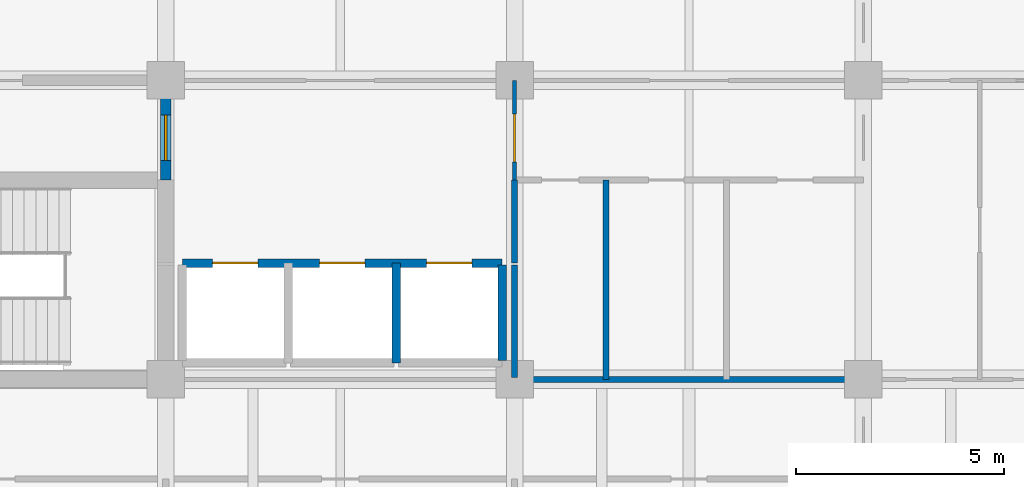
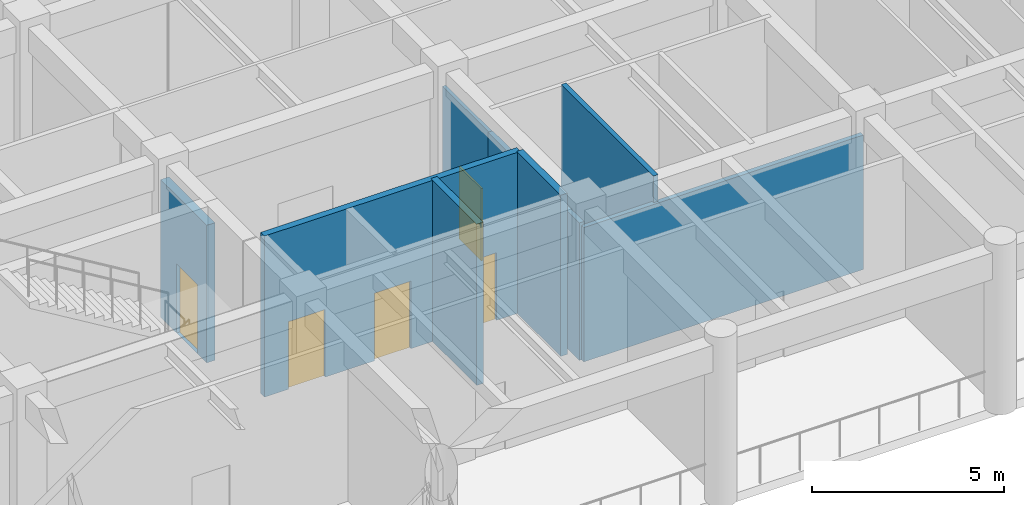
# One storey, part 46 of 68: 9 walls, 5 doors, 5 openings.
"""IFC4 building model written with IfcOpenShell, lengths in metres."""

from ifc_helpers import new_model, si_unit, direction, frame, frame_2d, origin, place, context, subcontext, project, spatial, rectangle, extrude, material, layer, layer_set, type_object, element, fill, save


model = new_model("IFC4")

# Units and contexts
model_context = context("Model", 3, precision=1e-05, world=origin(), true_north=direction((0.0, 1.0)))
body_context = subcontext(model_context, "Body", "Model", "MODEL_VIEW")
ifc_project = project(units=[si_unit("LENGTHUNIT", "METRE"), si_unit("AREAUNIT", "SQUARE_METRE"), si_unit("VOLUMEUNIT", "CUBIC_METRE"), si_unit("PLANEANGLEUNIT", "RADIAN"), si_unit("MASSUNIT", "GRAM", prefix="KILO")], contexts=[model_context])

# Site, building, storey
site_placement = place(None, origin())
site = spatial("IfcSite", under=ifc_project, at=site_placement, CompositionType="ELEMENT")
building_placement = place(site_placement, origin())
building = spatial("IfcBuilding", under=site, at=building_placement, Name="Chengyuan Square Courthouse", CompositionType="ELEMENT")
storey_placement = place(building_placement, frame((0.0, 0.0, 5.39990234375)))
storey = spatial("IfcBuildingStorey", under=building, at=storey_placement, Name="L02", CompositionType="ELEMENT", Elevation=5.39990234375)

# Wall, opening, door
ifc_material_1 = material(Name="Concrete C40", Category="concrete")
ifc_layer_1 = layer(ifc_material_1, 0.25)
ifc_layer_set_1 = layer_set([ifc_layer_1], Name="Concrete C40")
wall_type_1 = type_object("IfcWallType", Name="WL-FW1", PredefinedType="STANDARD", material=ifc_layer_set_1)
wall_1_placement = place(storey_placement, frame((67.199951171875, 91.199951171875, 0.0), z_axis=(0.0, 0.0, 1.0), x_axis=(0.0, 1.0, 0.0)))
wall_1 = element("IfcWall", 1, at=wall_1_placement, inside=storey, type_object=wall_type_1, Name="Interior Wall WL-L02-I1265", PredefinedType="STANDARD", context=body_context, shape_type="SweptSolid", body=[
    extrude(rectangle(XDim=2.400146484375, YDim=0.25, at=frame_2d((1.2001953125, 0.0))), origin(), (0.0, 0.0, 1.0), 4.3701171875),
])
opening_1_placement = place(wall_1_placement, frame((0.465087890625, 0.0, 0.0)))
opening_1 = element("IfcOpeningElement", 2, at=opening_1_placement, cuts=wall_1, Name="Opening DR-1015", PredefinedType="OPENING", context=body_context, shape_type="SweptSolid", body=[
    extrude(rectangle(XDim=1.10009765625, YDim=2.199951171875, at=frame_2d((0.550048828125, 1.10009765625))), frame((0.0, 0.136962890625, 0.0), z_axis=(0.0, -1.0, 0.0), x_axis=(1.0, 0.0, 0.0)), (0.0, 0.0, 1.0), 0.27392578125),
])
ifc_material_2 = material(Name="Steel Q235B Fire Door", Category="steel")
door_type_1 = type_object("IfcDoorType", Name="DT-10", OperationType="NOTDEFINED", PredefinedType="DOOR", material=ifc_material_2)
door_1_placement = place(opening_1_placement, origin())
door_1 = element("IfcDoor", 3, at=door_1_placement, inside=storey, type_object=door_type_1, Name="Interior Door DR-1015", OperationType="SINGLE_SWING_LEFT", OverallHeight=2.199951171875, OverallWidth=1.10009765625, PredefinedType="DOOR", context=body_context, shape_type="SweptSolid", body=[
    extrude(rectangle(XDim=1.10009765625, YDim=2.199951171875, at=frame_2d((0.550048828125, 1.10009765625))), frame((0.0, 0.02490234375, 0.0), z_axis=(0.0, -1.0, 0.0), x_axis=(1.0, 0.0, 0.0)), (0.0, 0.0, 1.0), 0.050048828125),
])
fill(opening_1, door_1)

# Walls
ifc_material_3 = material(Name="Moisture-Resistant Masonry Wet-Room Partition", Category="masonry")
ifc_layer_2 = layer(ifc_material_3, 0.139892578125)
ifc_layer_set_2 = layer_set([ifc_layer_2], Name="Moisture-Resistant Masonry Wet-Room Partition")
wall_type_2 = type_object("IfcWallType", Name="WL-PT4", PredefinedType="STANDARD", material=ifc_layer_set_2)
wall_2_placement = place(storey_placement, frame((75.60009765625, 86.39990234375, 0.0), z_axis=(0.0, 0.0, 1.0), x_axis=(1.0, 0.0, 0.0)))
element("IfcWall", 4, at=wall_2_placement, inside=storey, type_object=wall_type_2, Name="Interior Wall WL-L02-I1074", PredefinedType="STANDARD", context=body_context, shape_type="SweptSolid", body=[
    extrude(rectangle(XDim=8.39990234375, YDim=0.139892578125, at=frame_2d((4.199951171875, 0.0))), origin(), (0.0, 0.0, 1.0), 4.27001953125),
])
wall_3_placement = place(storey_placement, frame((75.60009765625, 86.449951171875, 0.0), z_axis=(0.0, 0.0, 1.0), x_axis=(0.0, 1.0, 0.0)))
element("IfcWall", 5, at=wall_3_placement, inside=storey, type_object=wall_type_2, Name="Interior Wall WL-L02-I1280", PredefinedType="STANDARD", context=body_context, shape_type="SweptSolid", body=[
    extrude(rectangle(XDim=2.699951171875, YDim=0.139892578125, at=frame_2d((1.35009765625, 0.0))), origin(), (0.0, 0.0, 1.0), 4.3701171875),
])
wall_4_placement = place(storey_placement, frame((75.60009765625, 89.199951171875, 0.0), z_axis=(0.0, 0.0, 1.0), x_axis=(0.0, 1.0, 0.0)))
element("IfcWall", 6, at=wall_4_placement, inside=storey, type_object=wall_type_2, Name="Interior Wall WL-L02-I1281", PredefinedType="STANDARD", context=body_context, shape_type="SweptSolid", body=[
    extrude(rectangle(XDim=2.0, YDim=0.139892578125, at=frame_2d((1.0, 0.0))), origin(), (0.0, 0.0, 1.0), 4.3701171875),
])
wall_5_placement = place(storey_placement, frame((77.800048828125, 86.39990234375, 0.0), z_axis=(0.0, 0.0, 1.0), x_axis=(0.0, 1.0, 0.0)))
element("IfcWall", 7, at=wall_5_placement, inside=storey, type_object=wall_type_2, Name="Interior Wall WL-L02-I1287", PredefinedType="STANDARD", context=body_context, shape_type="SweptSolid", body=[
    extrude(rectangle(XDim=4.800048828125, YDim=0.139892578125, at=frame_2d((2.39990234375, 0.0))), origin(), (0.0, 0.0, 1.0), 5.1201171875),
])

# Wall, opening, door
ifc_material_4 = material(Name="Gypsum Plasterboard Acoustic Stud Partition")
ifc_layer_3 = layer(ifc_material_4, 0.10009765625)
ifc_layer_set_3 = layer_set([ifc_layer_3], Name="Gypsum Plasterboard Acoustic Stud Partition")
wall_type_3 = type_object("IfcWallType", Name="WL-PT6", PredefinedType="STANDARD", material=ifc_layer_set_3)
wall_6_placement = place(storey_placement, frame((75.60009765625, 91.199951171875, 0.0), z_axis=(0.0, 0.0, 1.0), x_axis=(0.0, 1.0, 0.0)))
wall_6 = element("IfcWall", 8, at=wall_6_placement, inside=storey, type_object=wall_type_3, Name="Interior Wall WL-L02-I1282", PredefinedType="STANDARD", context=body_context, shape_type="SweptSolid", body=[
    extrude(rectangle(XDim=2.400146484375, YDim=0.10009765625, at=frame_2d((1.2001953125, 0.0))), origin(), (0.0, 0.0, 1.0), 4.3701171875),
])
opening_2_placement = place(wall_6_placement, frame((0.43505859375, 0.0, 0.0)))
opening_2 = element("IfcOpeningElement", 9, at=opening_2_placement, cuts=wall_6, Name="Opening DR-1060", PredefinedType="OPENING", context=body_context, shape_type="SweptSolid", body=[
    extrude(rectangle(XDim=1.159912109375, YDim=2.300048828125, at=frame_2d((0.580078125, 1.14990234375))), frame((0.0, 0.06201171875, 0.0), z_axis=(0.0, -1.0, 0.0), x_axis=(1.0, 0.0, 0.0)), (0.0, 0.0, 1.0), 0.1240234375),
])
ifc_material_5 = material(Name="Acoustic Solid-Core Timber Door", Category="wood")
door_type_2 = type_object("IfcDoorType", Name="DT-35", OperationType="NOTDEFINED", PredefinedType="DOOR", material=ifc_material_5)
door_2_placement = place(opening_2_placement, origin())
door_2 = element("IfcDoor", 10, at=door_2_placement, inside=storey, type_object=door_type_2, Name="Interior Door DR-1060", OperationType="SINGLE_SWING_LEFT", OverallHeight=2.300048828125, OverallWidth=1.159912109375, PredefinedType="DOOR", context=body_context, shape_type="SweptSolid", body=[
    extrude(rectangle(XDim=1.159912109375, YDim=2.300048828125, at=frame_2d((0.580078125, 1.14990234375))), frame((0.0, 0.02490234375, 0.0), z_axis=(0.0, -1.0, 0.0), x_axis=(1.0, 0.0, 0.0)), (0.0, 0.0, 1.0), 0.050048828125),
])
fill(opening_2, door_2)

# Wall, openings, doors
ifc_material_6 = material(Name="Reinforced Masonry Shaft Enclosure", Category="masonry")
ifc_layer_4 = layer(ifc_material_6, 0.199951171875)
ifc_layer_set_4 = layer_set([ifc_layer_4], Name="Reinforced Masonry Shaft Enclosure")
wall_type_4 = type_object("IfcWallType", Name="WL-SH1", PredefinedType="STANDARD", material=ifc_layer_set_4)
wall_7_placement = place(storey_placement, frame((67.60009765625, 89.199951171875, 0.0), z_axis=(0.0, 0.0, 1.0), x_axis=(1.0, 0.0, 0.0)))
wall_7 = element("IfcWall", 11, at=wall_7_placement, inside=storey, type_object=wall_type_4, Name="Interior Wall WL-L02-I1089", PredefinedType="STANDARD", context=body_context, shape_type="SweptSolid", body=[
    extrude(rectangle(XDim=7.699951171875, YDim=0.199951171875, at=frame_2d((3.85009765625, 0.0))), origin(), (0.0, 0.0, 1.0), 5.1201171875),
])
opening_3_placement = place(wall_7_placement, frame((0.72509765625, 0.0, 0.0)))
opening_3 = element("IfcOpeningElement", 12, at=opening_3_placement, cuts=wall_7, Name="Opening LD-045", PredefinedType="OPENING", context=body_context, shape_type="SweptSolid", body=[
    extrude(rectangle(XDim=1.10009765625, YDim=2.14990234375, at=frame_2d((0.550048828125, 1.074951171875))), frame((0.0, 0.112060546875, 0.0), z_axis=(0.0, -1.0, 0.0), x_axis=(1.0, 0.0, 0.0)), (0.0, 0.0, 1.0), 0.223876953125),
])
opening_4_placement = place(wall_7_placement, frame((3.300048828125, 0.0, 0.0)))
opening_4 = element("IfcOpeningElement", 13, at=opening_4_placement, cuts=wall_7, Name="Opening LD-046", PredefinedType="OPENING", context=body_context, shape_type="SweptSolid", body=[
    extrude(rectangle(XDim=1.10009765625, YDim=2.14990234375, at=frame_2d((0.550048828125, 1.074951171875))), frame((0.0, 0.112060546875, 0.0), z_axis=(0.0, -1.0, 0.0), x_axis=(1.0, 0.0, 0.0)), (0.0, 0.0, 1.0), 0.223876953125),
])
opening_5_placement = place(wall_7_placement, frame((5.875, 0.0, 0.0)))
opening_5 = element("IfcOpeningElement", 14, at=opening_5_placement, cuts=wall_7, Name="Opening LD-047", PredefinedType="OPENING", context=body_context, shape_type="SweptSolid", body=[
    extrude(rectangle(XDim=1.10009765625, YDim=2.14990234375, at=frame_2d((0.550048828125, 1.074951171875))), frame((0.0, 0.112060546875, 0.0), z_axis=(0.0, -1.0, 0.0), x_axis=(1.0, 0.0, 0.0)), (0.0, 0.0, 1.0), 0.223876953125),
])
ifc_material_7 = material(Name="Stainless Steel S30408 Lift Landing Door", Category="steel")
door_type_3 = type_object("IfcDoorType", Name="DT-06", OperationType="DOUBLE_DOOR_SLIDING", PredefinedType="DOOR", material=ifc_material_7)
door_3_placement = place(opening_3_placement, origin())
door_3 = element("IfcDoor", 15, at=door_3_placement, inside=storey, type_object=door_type_3, Name="Lift Landing Door LF-P1 L02", OperationType="DOUBLE_DOOR_SLIDING", OverallHeight=2.14990234375, OverallWidth=1.10009765625, PredefinedType="DOOR", context=body_context, shape_type="SweptSolid", body=[
    extrude(rectangle(XDim=1.10009765625, YDim=2.14990234375, at=frame_2d((0.550048828125, 1.074951171875))), frame((0.0, 0.02490234375, 0.0), z_axis=(0.0, -1.0, 0.0), x_axis=(1.0, 0.0, 0.0)), (0.0, 0.0, 1.0), 0.050048828125),
])
fill(opening_3, door_3)
door_4_placement = place(opening_4_placement, origin())
door_4 = element("IfcDoor", 16, at=door_4_placement, inside=storey, type_object=door_type_3, Name="Lift Landing Door LF-P2 L02", OperationType="DOUBLE_DOOR_SLIDING", OverallHeight=2.14990234375, OverallWidth=1.10009765625, PredefinedType="DOOR", context=body_context, shape_type="SweptSolid", body=[
    extrude(rectangle(XDim=1.10009765625, YDim=2.14990234375, at=frame_2d((0.550048828125, 1.074951171875))), frame((0.0, 0.02490234375, 0.0), z_axis=(0.0, -1.0, 0.0), x_axis=(1.0, 0.0, 0.0)), (0.0, 0.0, 1.0), 0.050048828125),
])
fill(opening_4, door_4)
door_5_placement = place(opening_5_placement, origin())
door_5 = element("IfcDoor", 17, at=door_5_placement, inside=storey, type_object=door_type_3, Name="Lift Landing Door LF-P3 L02", OperationType="DOUBLE_DOOR_SLIDING", OverallHeight=2.14990234375, OverallWidth=1.10009765625, PredefinedType="DOOR", context=body_context, shape_type="SweptSolid", body=[
    extrude(rectangle(XDim=1.10009765625, YDim=2.14990234375, at=frame_2d((0.550048828125, 1.074951171875))), frame((0.0, 0.02490234375, 0.0), z_axis=(0.0, -1.0, 0.0), x_axis=(1.0, 0.0, 0.0)), (0.0, 0.0, 1.0), 0.050048828125),
])
fill(opening_5, door_5)

# Walls
wall_8_placement = place(storey_placement, frame((72.75, 86.800048828125, 0.0), z_axis=(0.0, 0.0, 1.0), x_axis=(0.0, 1.0, 0.0)))
element("IfcWall", 18, at=wall_8_placement, inside=storey, type_object=wall_type_4, Name="Interior Wall WL-L02-I1277", PredefinedType="STANDARD", context=body_context, shape_type="SweptSolid", body=[
    extrude(rectangle(XDim=2.39990234375, YDim=0.199951171875, at=frame_2d((1.199951171875, 0.0))), origin(), (0.0, 0.0, 1.0), 5.1201171875),
])
wall_9_placement = place(storey_placement, frame((75.300048828125, 86.85009765625, 0.0), z_axis=(0.0, 0.0, 1.0), x_axis=(0.0, 1.0, 0.0)))
element("IfcWall", 19, at=wall_9_placement, inside=storey, type_object=wall_type_4, Name="Interior Wall WL-L02-I1278", PredefinedType="STANDARD", context=body_context, shape_type="SweptSolid", body=[
    extrude(rectangle(XDim=2.2998046875, YDim=0.199951171875, at=frame_2d((1.14990234375, 0.0))), origin(), (0.0, 0.0, 1.0), 5.1201171875),
])

save(model, "model.ifc")
